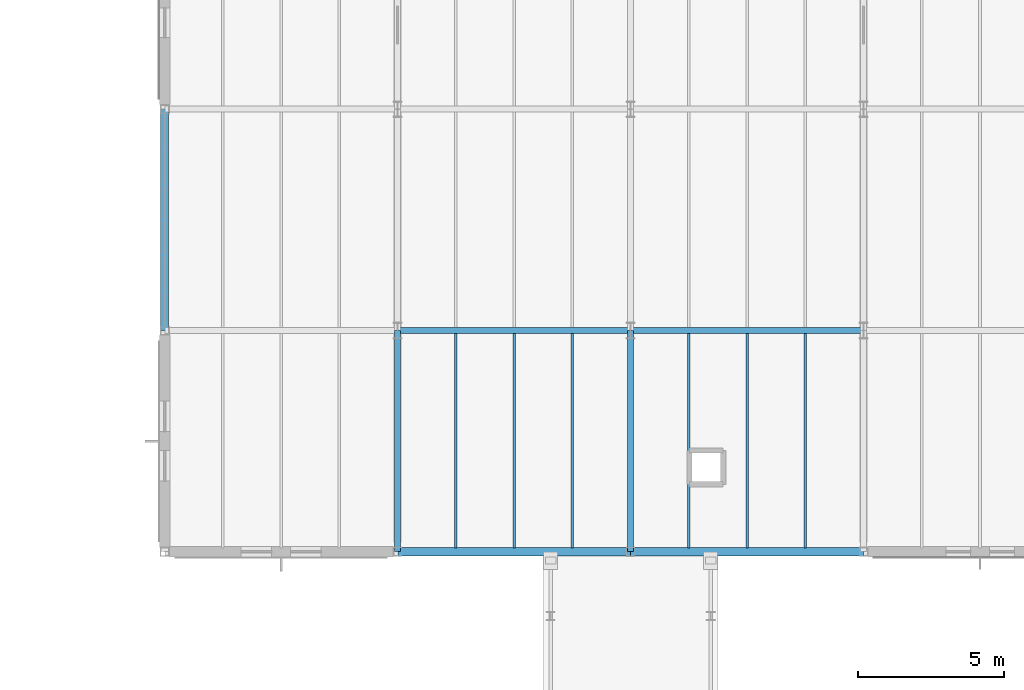
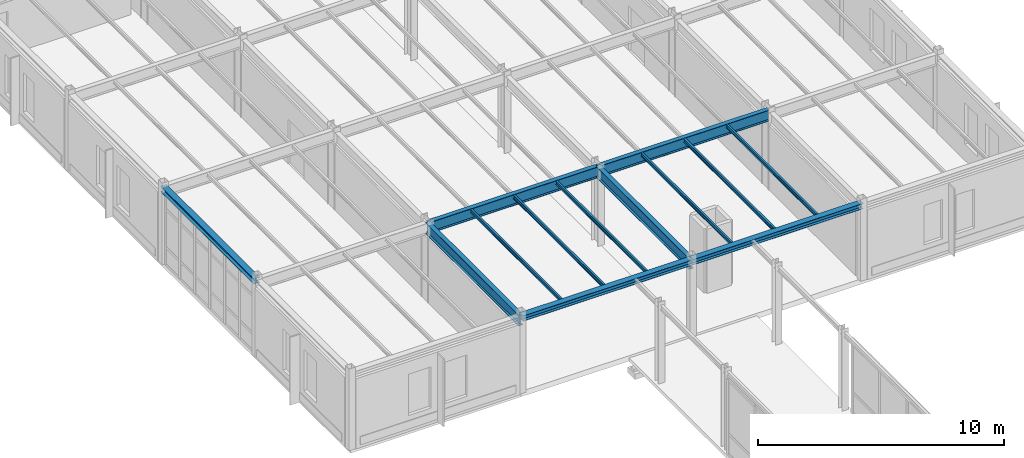
# One storey, part 115 of 165: 13 beams.
"""IFC4 building model written with IfcOpenShell, lengths in metres."""

from ifc_helpers import new_model, si_unit, direction, frame, origin, origin_2d, place, context, subcontext, project, spatial, i_section, extrude, material, material_profile, profile_set, type_object, element, save


model = new_model("IFC4")

# Units and contexts
model_context = context("Model", 3, precision=1e-05, world=origin(), true_north=direction((0.0, 1.0)))
body_context = subcontext(model_context, "Body", "Model", "MODEL_VIEW")
ifc_project = project(units=[si_unit("LENGTHUNIT", "METRE"), si_unit("AREAUNIT", "SQUARE_METRE"), si_unit("VOLUMEUNIT", "CUBIC_METRE"), si_unit("PLANEANGLEUNIT", "RADIAN"), si_unit("MASSUNIT", "GRAM", prefix="KILO")], contexts=[model_context])

# Site, building, storey
site_placement = place(None, origin())
site = spatial("IfcSite", under=ifc_project, at=site_placement, CompositionType="ELEMENT")
building_placement = place(site_placement, origin())
building = spatial("IfcBuilding", under=site, at=building_placement, Name="Montecoro Central Library", CompositionType="ELEMENT")
storey_placement = place(building_placement, frame((0.0, 0.0, 5.10009765625)))
storey = spatial("IfcBuildingStorey", under=building, at=storey_placement, Name="L01", CompositionType="ELEMENT", Elevation=5.10009765625)

# Beams
ifc_material_1 = material(Name="Steel S355J2", Category="steel")
ifc_material_profile_1 = material_profile(ifc_material_1, i_section(OverallWidth=0.2099609375, OverallDepth=0.550048828125, WebThickness=0.010986328125, FlangeThickness=0.01708984375, at=origin_2d()), Name="IPE 550")
ifc_profile_set_1 = profile_set([ifc_material_profile_1], Name="Steel S355J2")
beam_type_1 = type_object("IfcBeamType", Name="BM-G-IPE550", PredefinedType="USERDEFINED", material=ifc_profile_set_1)
for number, where, z_axis, x_axis, name in (
    (1, (149.0048828125, 81.0, 3.5498046875), (1.0, 0.0, 0.0), (0.0, 1.0, 0.0), "V5-L01-BX-1920-L"),
    (2, (157.0048828125, 81.0, 3.5498046875), (1.0, 0.0, 0.0), (0.0, 1.0, 0.0), "V5-L01-BX-2021-L"),
):
    element("IfcBeam", number, at=place(storey_placement, frame(where, z_axis=z_axis, x_axis=x_axis)), inside=storey, type_object=beam_type_1, Name=name, ObjectType="GIRDER", PredefinedType="USERDEFINED", context=body_context, shape_type="SweptSolid", body=[
        extrude(i_section(OverallWidth=0.2099609375, OverallDepth=0.550048828125, WebThickness=0.010986328125, FlangeThickness=0.01708984375, at=origin_2d()), origin(), (0.0, 0.0, 1.0), 7.990234375),
    ])
for number, where, z_axis, x_axis, name in (
    (3, (149.0, 73.405029296875, 3.5498046875), (0.0, 1.0, 0.0), (-1.0, 0.0, 0.0), "V5-L01-BY-19-KL"),
    (4, (157.0, 73.405029296875, 3.5498046875), (0.0, 1.0, 0.0), (-1.0, 0.0, 0.0), "V5-L01-BY-20-KL"),
):
    element("IfcBeam", number, at=place(storey_placement, frame(where, z_axis=z_axis, x_axis=x_axis)), inside=storey, type_object=beam_type_1, Name=name, ObjectType="GIRDER", PredefinedType="USERDEFINED", context=body_context, shape_type="SweptSolid", body=[
        extrude(i_section(OverallWidth=0.2099609375, OverallDepth=0.550048828125, WebThickness=0.010986328125, FlangeThickness=0.01708984375, at=origin_2d()), origin(), (0.0, 0.0, 1.0), 7.590087890625),
    ])
ifc_material_2 = material(Name="Steel S355", Category="steel")
ifc_material_profile_2 = material_profile(ifc_material_2, i_section(OverallWidth=0.091064453125, OverallDepth=0.179931640625, WebThickness=0.00537109375, FlangeThickness=0.008056640625, at=origin_2d()), Name="IPE 180")
ifc_profile_set_2 = profile_set([ifc_material_profile_2], Name="Steel S355")
beam_type_2 = type_object("IfcBeamType", Name="BM-J-IPE180", PredefinedType="JOIST", material=ifc_profile_set_2)
for number, where, z_axis, x_axis, name in (
    (5, (151.0, 73.537109375, 3.73486328125), (0.0, 1.0, 0.0), (-1.0, 0.0, 0.0), "V5-L01-JS-1920-KL-1"),
    (6, (153.0, 73.537109375, 3.73486328125), (0.0, 1.0, 0.0), (-1.0, 0.0, 0.0), "V5-L01-JS-1920-KL-2"),
    (7, (155.0, 73.537109375, 3.73486328125), (0.0, 1.0, 0.0), (-1.0, 0.0, 0.0), "V5-L01-JS-1920-KL-3"),
    (8, (159.0, 73.537109375, 3.73486328125), (0.0, 1.0, 0.0), (-1.0, 0.0, 0.0), "V5-L01-JS-2021-KL-1"),
    (9, (161.0, 73.537109375, 3.73486328125), (0.0, 1.0, 0.0), (-1.0, 0.0, 0.0), "V5-L01-JS-2021-KL-2"),
    (10, (163.0, 73.537109375, 3.73486328125), (0.0, 1.0, 0.0), (-1.0, 0.0, 0.0), "V5-L01-JS-2021-KL-3"),
):
    element("IfcBeam", number, at=place(storey_placement, frame(where, z_axis=z_axis, x_axis=x_axis)), inside=storey, type_object=beam_type_2, Name=name, PredefinedType="JOIST", context=body_context, shape_type="SweptSolid", body=[
        extrude(i_section(OverallWidth=0.091064453125, OverallDepth=0.179931640625, WebThickness=0.00537109375, FlangeThickness=0.008056640625, at=origin_2d()), origin(), (0.0, 0.0, 1.0), 7.36083984375),
    ])
ifc_material_profile_3 = material_profile(ifc_material_2, i_section(OverallWidth=0.280029296875, OverallDepth=0.27001953125, WebThickness=0.008056640625, FlangeThickness=0.012939453125, at=origin_2d()), Name="HEA 280")
ifc_profile_set_3 = profile_set([ifc_material_profile_3], Name="Steel S355")
beam_type_3 = type_object("IfcBeamType", Name="BM-SP-HEA280", PredefinedType="SPANDREL", material=ifc_profile_set_3)
for number, where, z_axis, x_axis, name in (
    (11, (149.0048828125, 73.39990234375, 3.68994140625), (1.0, 0.0, 0.0), (0.0, 1.0, 0.0), "V5-L01-BX-1920-K"),
    (12, (157.0048828125, 73.39990234375, 3.68994140625), (1.0, 0.0, 0.0), (0.0, 1.0, 0.0), "V5-L01-BX-2021-K"),
):
    element("IfcBeam", number, at=place(storey_placement, frame(where, z_axis=z_axis, x_axis=x_axis)), inside=storey, type_object=beam_type_3, Name=name, PredefinedType="SPANDREL", context=body_context, shape_type="SweptSolid", body=[
        extrude(i_section(OverallWidth=0.280029296875, OverallDepth=0.27001953125, WebThickness=0.008056640625, FlangeThickness=0.012939453125, at=origin_2d()), origin(), (0.0, 0.0, 1.0), 7.990234375),
    ])
beam_placement = place(storey_placement, frame((141.0, 81.0048828125, 3.68994140625), z_axis=(0.0, 1.0, 0.0), x_axis=(-1.0, 0.0, 0.0)))
element("IfcBeam", 13, at=beam_placement, inside=storey, type_object=beam_type_3, Name="V5-L01-BY-18-LM", PredefinedType="SPANDREL", context=body_context, shape_type="SweptSolid", body=[
    extrude(i_section(OverallWidth=0.280029296875, OverallDepth=0.27001953125, WebThickness=0.008056640625, FlangeThickness=0.012939453125, at=origin_2d()), origin(), (0.0, 0.0, 1.0), 7.590087890625),
])

save(model, "model.ifc")
